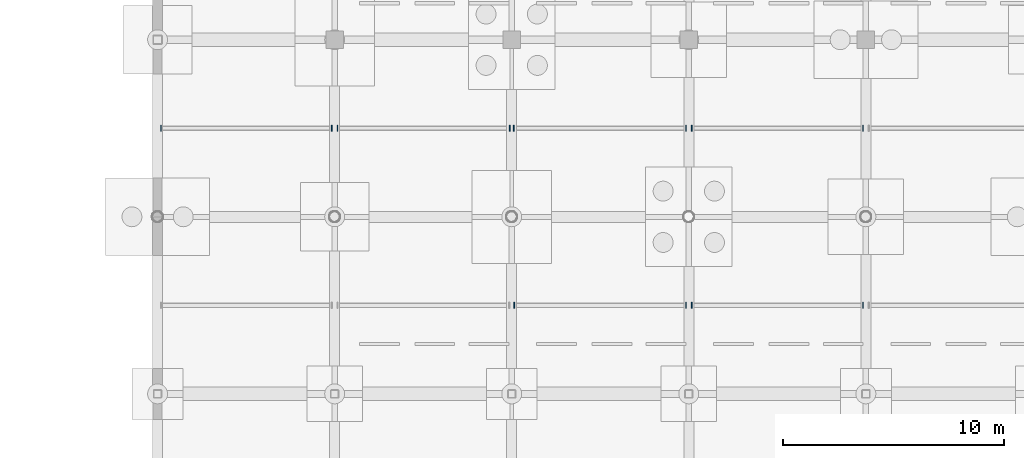
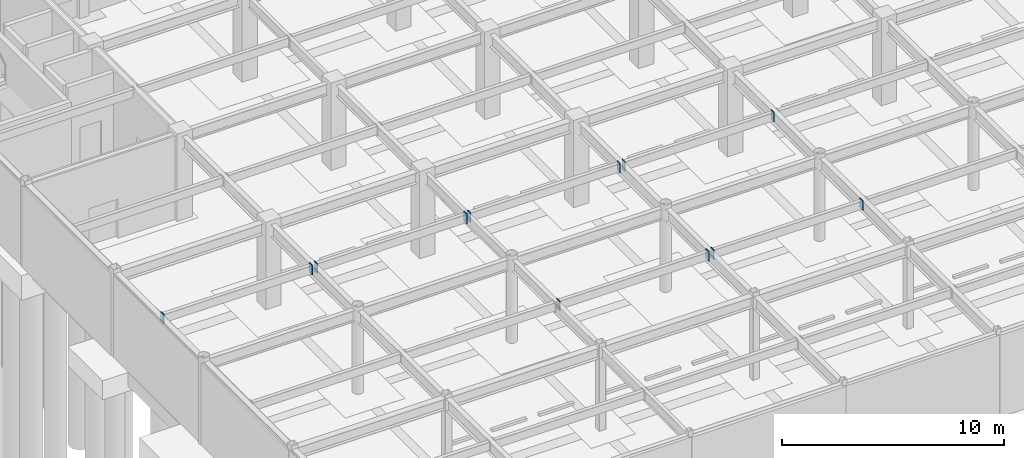
# One storey, part 77 of 105: 12 discrete accessories.
"""IFC4 building model written with IfcOpenShell, lengths in metres."""

from ifc_helpers import new_model, si_unit, direction, frame, origin, origin_2d, place, context, subcontext, project, spatial, rectangle, extrude, material, layer, layer_set, type_object, element, save


model = new_model("IFC4")

# Units and contexts
model_context = context("Model", 3, precision=1e-05, world=origin(), true_north=direction((0.0, 1.0)))
body_context = subcontext(model_context, "Body", "Model", "MODEL_VIEW")
ifc_project = project(units=[si_unit("LENGTHUNIT", "METRE"), si_unit("AREAUNIT", "SQUARE_METRE"), si_unit("VOLUMEUNIT", "CUBIC_METRE"), si_unit("PLANEANGLEUNIT", "RADIAN"), si_unit("MASSUNIT", "GRAM", prefix="KILO")], contexts=[model_context])

# Site, building, storey
site_placement = place(None, origin())
site = spatial("IfcSite", under=ifc_project, at=site_placement, CompositionType="ELEMENT")
building_placement = place(site_placement, origin())
building = spatial("IfcBuilding", under=site, at=building_placement, Name="Solmirada Galleria", CompositionType="ELEMENT")
storey_placement = place(building_placement, frame((0.0, 0.0, -4.800048828125)))
storey = spatial("IfcBuildingStorey", under=building, at=storey_placement, Name="B1", CompositionType="ELEMENT", Elevation=-4.800048828125)

# Discrete accessories
ifc_material = material(Name="Steel S355 / ASTM A572 Grade 50", Category="steel")
ifc_layer = layer(ifc_material, 0.031982421875)
ifc_layer_set = layer_set([ifc_layer], Name="Steel S355 / ASTM A572 Grade 50")
discrete_accessory_type = type_object("IfcDiscreteAccessoryType", Name="ACC-COL-CAP", PredefinedType="BRACKET", material=ifc_layer_set)
for number, where, z_axis, x_axis, name in (
    (1, (40.152587890625, 92.0, 4.08154296875), (0.0, 0.0, 1.0), (1.0, 0.0, 0.0), "Hollow joist end plate L00-06-12-L"),
    (2, (47.8720703125, 92.0, 4.08154296875), (0.0, 0.0, 1.0), (1.0, 0.0, 0.0), "Hollow joist end plate L00-06-12-R"),
    (3, (48.1279296875, 92.0, 4.08154296875), (0.0, 0.0, 1.0), (1.0, 0.0, 0.0), "Hollow joist end plate L00-07-12-L"),
    (4, (55.910888671875, 92.0, 4.08154296875), (0.0, 0.0, 1.0), (1.0, 0.0, 0.0), "Hollow joist end plate L00-07-12-R"),
    (5, (56.114013671875, 84.0, 4.08154296875), (0.0, 0.0, 1.0), (1.0, 0.0, 0.0), "Hollow joist end plate L00-08-11-L"),
    (6, (63.873046875, 84.0, 4.08154296875), (0.0, 0.0, 1.0), (1.0, 0.0, 0.0), "Hollow joist end plate L00-08-11-R"),
    (7, (56.089111328125, 92.0, 4.08154296875), (0.0, 0.0, 1.0), (1.0, 0.0, 0.0), "Hollow joist end plate L00-08-12-L"),
    (8, (63.873046875, 92.0, 4.08154296875), (0.0, 0.0, 1.0), (1.0, 0.0, 0.0), "Hollow joist end plate L00-08-12-R"),
    (9, (64.126953125, 84.0, 4.08154296875), (0.0, 0.0, 1.0), (1.0, 0.0, 0.0), "Hollow joist end plate L00-09-11-L"),
    (10, (71.8720703125, 84.0, 4.08154296875), (0.0, 0.0, 1.0), (1.0, 0.0, 0.0), "Hollow joist end plate L00-09-11-R"),
    (11, (64.126953125, 92.0, 4.08154296875), (0.0, 0.0, 1.0), (1.0, 0.0, 0.0), "Hollow joist end plate L00-09-12-L"),
    (12, (71.8720703125, 92.0, 4.08154296875), (0.0, 0.0, 1.0), (1.0, 0.0, 0.0), "Hollow joist end plate L00-09-12-R"),
):
    element("IfcDiscreteAccessory", number, at=place(storey_placement, frame(where, z_axis=z_axis, x_axis=x_axis)), inside=storey, type_object=discrete_accessory_type, Name=name, PredefinedType="BRACKET", context=body_context, shape_type="SweptSolid", body=[
        extrude(rectangle(XDim=0.035888671875, YDim=0.280029296875, at=origin_2d()), origin(), (0.0, 0.0, 1.0), 0.5400390625),
    ])

save(model, "model.ifc")
